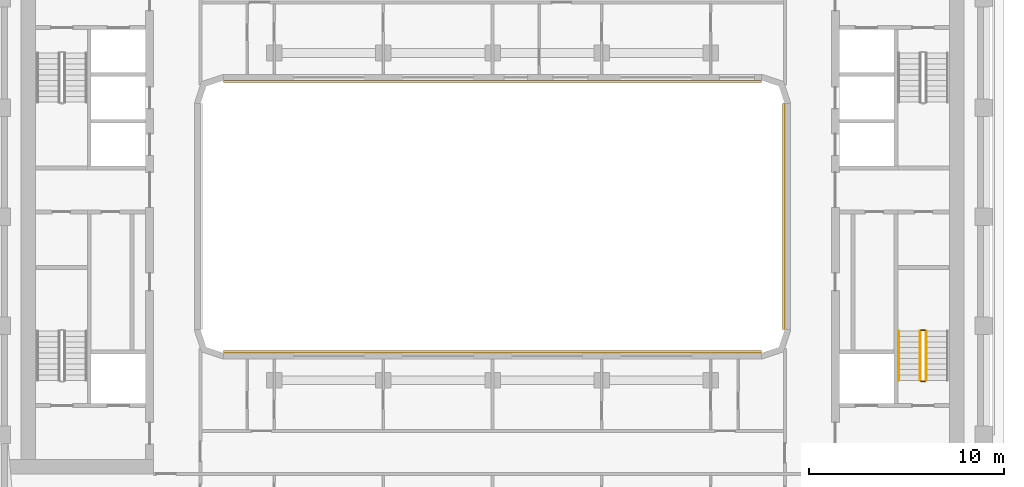
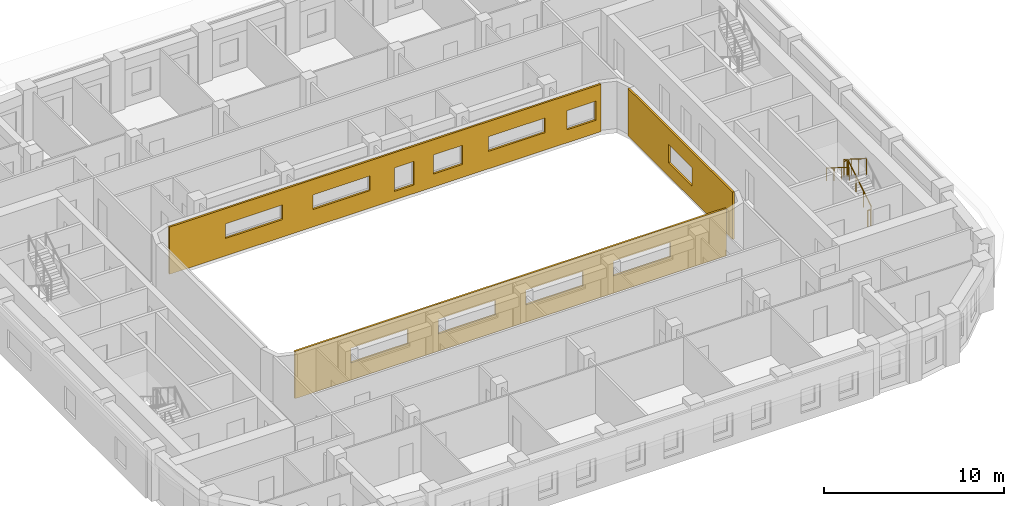
# One storey, part 15 of 20: 5 railings, 3 coverings.
"""IFC4 building model written with IfcOpenShell, lengths in metres."""

from ifc_helpers import new_model, si_unit, direction, frame, origin, origin_2d, place, context, subcontext, project, spatial, polyline, circle, outline, extrude, material, layer, layer_set, type_object, element, save


model = new_model("IFC4")

# Units and contexts
model_context = context("Model", 3, precision=1e-05, world=origin(), true_north=direction((0.0, 1.0)))
body_context = subcontext(model_context, "Body", "Model", "MODEL_VIEW")
ifc_project = project(units=[si_unit("LENGTHUNIT", "METRE"), si_unit("AREAUNIT", "SQUARE_METRE"), si_unit("VOLUMEUNIT", "CUBIC_METRE"), si_unit("PLANEANGLEUNIT", "RADIAN"), si_unit("MASSUNIT", "GRAM", prefix="KILO")], contexts=[model_context])

# Site, building, storey
site_placement = place(None, origin())
site = spatial("IfcSite", under=ifc_project, at=site_placement, CompositionType="ELEMENT")
building_placement = place(site_placement, origin())
building = spatial("IfcBuilding", under=site, at=building_placement, Name="Kiln Ring Residences", CompositionType="ELEMENT")
storey_placement = place(building_placement, frame((0.0, 0.0, 206.39990234375)))
storey = spatial("IfcBuildingStorey", under=building, at=storey_placement, Name="L53", CompositionType="ELEMENT", Elevation=206.39990234375)

# Railings
ifc_material_1 = material(Name="Stainless steel", Category="steel")
railing_type_1 = type_object("IfcRailingType", Name="CORE-STAIR-GUARD", PredefinedType="GUARDRAIL", material=ifc_material_1)
railing_1_placement = place(storey_placement, frame((22.25, -8.39990234375, 0.175048828125)))
element("IfcRailing", 1, at=railing_1_placement, inside=storey, type_object=railing_type_1, Name="L53 E-STS stair guard 1", PredefinedType="GUARDRAIL", context=body_context, shape_type="SweptSolid", body=[
    extrude(circle(Radius=0.02392578125, at=origin_2d()), frame((0.0, 0.0, 1.076171875), z_axis=(0.0, 0.848007534815, 0.529984170421), x_axis=(-1.0, 0.0, 0.0)), (0.0, 0.0, 1.0), 2.9716796875),
    extrude(circle(Radius=0.02099609375, at=origin_2d()), origin(), (0.0, 0.0, 1.0), 1.052001953125),
    extrude(circle(Radius=0.02099609375, at=origin_2d()), frame((0.0, 0.840087890625, 0.52490234375)), (0.0, 0.0, 1.0), 1.052001953125),
    extrude(circle(Radius=0.02099609375, at=origin_2d()), frame((0.0, 1.679931640625, 1.050048828125)), (0.0, 0.0, 1.0), 1.052001953125),
    extrude(circle(Radius=0.02099609375, at=origin_2d()), frame((0.0, 2.52001953125, 1.574951171875)), (0.0, 0.0, 1.0), 1.052001953125),
])
railing_2_placement = place(storey_placement, frame((22.199951171875, -5.830078125, 1.75)))
element("IfcRailing", 2, at=railing_2_placement, inside=storey, type_object=railing_type_1, Name="L53 E-STS stair guard 2", PredefinedType="GUARDRAIL", context=body_context, shape_type="SweptSolid", body=[
    extrude(circle(Radius=0.02392578125, at=origin_2d()), frame((0.0, 0.0, 1.076171875), z_axis=(-1.0, 0.0, 0.0), x_axis=(0.0, -1.0, 0.0)), (0.0, 0.0, 1.0), 0.199951171875),
    extrude(circle(Radius=0.02099609375, at=origin_2d()), origin(), (0.0, 0.0, 1.0), 1.052001953125),
    extrude(circle(Radius=0.02099609375, at=origin_2d()), frame((-0.199951171875, 0.0, 0.0)), (0.0, 0.0, 1.0), 1.052001953125),
])
railing_3_placement = place(storey_placement, frame((21.949951171875, -5.8798828125, 1.925048828125)))
element("IfcRailing", 3, at=railing_3_placement, inside=storey, type_object=railing_type_1, Name="L53 E-STS stair guard 3", PredefinedType="GUARDRAIL", context=body_context, shape_type="SweptSolid", body=[
    extrude(circle(Radius=0.02392578125, at=origin_2d()), frame((0.0, 0.0, 1.076171875), z_axis=(0.0, -0.848007534815, 0.529984170421), x_axis=(1.0, 0.0, 0.0)), (0.0, 0.0, 1.0), 2.9716796875),
    extrude(circle(Radius=0.02099609375, at=origin_2d()), origin(), (0.0, 0.0, 1.0), 1.052001953125),
    extrude(circle(Radius=0.02099609375, at=origin_2d()), frame((0.0, -0.840087890625, 0.52490234375)), (0.0, 0.0, 1.0), 1.052001953125),
    extrude(circle(Radius=0.02099609375, at=origin_2d()), frame((0.0, -1.679931640625, 1.050048828125)), (0.0, 0.0, 1.0), 1.052001953125),
    extrude(circle(Radius=0.02099609375, at=origin_2d()), frame((0.0, -2.52001953125, 1.574951171875)), (0.0, 0.0, 1.0), 1.052001953125),
])
railing_4_placement = place(storey_placement, frame((22.199951171875, -8.449951171875, 0.0)))
element("IfcRailing", 4, at=railing_4_placement, inside=storey, type_object=railing_type_1, Name="L53 E-STS stair guard 4", PredefinedType="GUARDRAIL", context=body_context, shape_type="SweptSolid", body=[
    extrude(circle(Radius=0.02392578125, at=origin_2d()), frame((0.0, 0.0, 1.076171875), z_axis=(-1.0, 0.0, 0.0), x_axis=(0.0, -1.0, 0.0)), (0.0, 0.0, 1.0), 0.199951171875),
    extrude(circle(Radius=0.02099609375, at=origin_2d()), origin(), (0.0, 0.0, 1.0), 1.052001953125),
    extrude(circle(Radius=0.02099609375, at=origin_2d()), frame((-0.199951171875, 0.0, 0.0)), (0.0, 0.0, 1.0), 1.052001953125),
])
ifc_material_2 = material(Name="Stainless steel", Category="steel")
railing_type_2 = type_object("IfcRailingType", Name="CORE-STAIR-HANDRAIL", PredefinedType="HANDRAIL", material=ifc_material_2)
railing_5_placement = place(storey_placement, frame((20.85009765625, -5.8798828125, 1.925048828125)))
element("IfcRailing", 5, at=railing_5_placement, inside=storey, type_object=railing_type_2, Name="L53 E-STS stair handrail 2", PredefinedType="HANDRAIL", context=body_context, shape_type="SweptSolid", body=[
    extrude(circle(Radius=0.02392578125, at=origin_2d()), frame((0.0, 0.0, 0.8759765625), z_axis=(0.0, -0.848007534815, 0.529984170421), x_axis=(1.0, 0.0, 0.0)), (0.0, 0.0, 1.0), 2.9716796875),
    extrude(circle(Radius=0.02099609375, at=origin_2d()), origin(), (0.0, 0.0, 1.0), 0.851806640625),
    extrude(circle(Radius=0.02099609375, at=origin_2d()), frame((0.0, -0.840087890625, 0.52490234375)), (0.0, 0.0, 1.0), 0.851806640625),
    extrude(circle(Radius=0.02099609375, at=origin_2d()), frame((0.0, -1.679931640625, 1.050048828125)), (0.0, 0.0, 1.0), 0.851806640625),
    extrude(circle(Radius=0.02099609375, at=origin_2d()), frame((0.0, -2.52001953125, 1.574951171875)), (0.0, 0.0, 1.0), 0.851806640625),
])

# Coverings
ifc_material_3 = material(Name="Brick masonry, dark clay brick", Category="masonry")
ifc_layer = layer(ifc_material_3, 0.1201171875)
ifc_layer_set = layer_set([ifc_layer], Name="RAINSCREEN PANEL 120")
covering_type = type_object("IfcCoveringType", Name="RAINSCREEN PANEL 120", PredefinedType="CLADDING", material=ifc_layer_set)
covering_1_placement = place(storey_placement, frame((-13.800048828125, 6.93994140625, 0.0), z_axis=(0.0, 0.0, 1.0), x_axis=(1.0, 0.0, 0.0)))
element("IfcCovering", 6, at=covering_1_placement, inside=storey, type_object=covering_type, Name="RAINSCREEN L53", PredefinedType="CLADDING", context=body_context, shape_type="SweptSolid", body=[
    extrude(outline(polyline([(0.0, 0.0), (27.60009765625, 0.0), (27.60009765625, 3.2001953125), (0.0, 3.2001953125), (0.0, 0.0)]), holes=[polyline([(15.6201171875, 0.580078125), (15.6201171875, 2.170166015625), (14.3798828125, 2.170166015625), (14.3798828125, 0.580078125), (15.6201171875, 0.580078125)]), polyline([(16.8798828125, 0.880126953125), (18.719970703125, 0.880126953125), (18.719970703125, 2.170166015625), (16.8798828125, 2.170166015625), (16.8798828125, 0.880126953125)]), polyline([(25.41748046875, 0.880126953125), (27.257568359375, 0.880126953125), (27.257568359375, 2.170166015625), (25.41748046875, 2.170166015625), (25.41748046875, 0.880126953125)]), polyline([(7.219970703125, 1.18017578125), (7.219970703125, 2.170166015625), (3.580078125, 2.170166015625), (3.580078125, 1.18017578125), (7.219970703125, 1.18017578125)]), polyline([(9.179931640625, 1.18017578125), (12.820068359375, 1.18017578125), (12.820068359375, 2.170166015625), (9.179931640625, 2.170166015625), (9.179931640625, 1.18017578125)]), polyline([(20.3798828125, 1.18017578125), (24.02001953125, 1.18017578125), (24.02001953125, 2.170166015625), (20.3798828125, 2.170166015625), (20.3798828125, 1.18017578125)])]), frame((0.0, 0.06005859375, 0.0), z_axis=(0.0, -1.0, 0.0), x_axis=(1.0, 0.0, 0.0)), (0.0, 0.0, 1.0), 0.1201171875),
])
covering_2_placement = place(storey_placement, frame((14.93994140625, 5.800048828125, 0.0), z_axis=(0.0, 0.0, 1.0), x_axis=(0.0, -1.0, 0.0)))
element("IfcCovering", 7, at=covering_2_placement, inside=storey, type_object=covering_type, Name="RAINSCREEN L53", PredefinedType="CLADDING", context=body_context, shape_type="SweptSolid", body=[
    extrude(outline(polyline([(0.0, 0.0), (11.60009765625, 0.0), (11.60009765625, 3.2001953125), (0.0, 3.2001953125), (0.0, 0.0)]), holes=[polyline([(4.5, 2.150146484375), (4.5, 0.900146484375), (7.10009765625, 0.900146484375), (7.10009765625, 2.150146484375), (4.5, 2.150146484375)])]), frame((0.0, 0.06005859375, 0.0), z_axis=(0.0, -1.0, 0.0), x_axis=(1.0, 0.0, 0.0)), (0.0, 0.0, 1.0), 0.1201171875),
])
covering_3_placement = place(storey_placement, frame((13.800048828125, -6.93994140625, 0.0), z_axis=(0.0, 0.0, 1.0), x_axis=(-1.0, 0.0, 0.0)))
element("IfcCovering", 8, at=covering_3_placement, inside=storey, type_object=covering_type, Name="RAINSCREEN L53", PredefinedType="CLADDING", context=body_context, shape_type="SweptSolid", body=[
    extrude(outline(polyline([(0.0, 0.0), (27.60009765625, 0.0), (27.60009765625, 3.2001953125), (0.0, 3.2001953125), (0.0, 0.0)]), holes=[polyline([(7.219970703125, 1.18017578125), (7.219970703125, 2.170166015625), (3.580078125, 2.170166015625), (3.580078125, 1.18017578125), (7.219970703125, 1.18017578125)]), polyline([(12.820068359375, 1.18017578125), (12.820068359375, 2.170166015625), (9.179931640625, 2.170166015625), (9.179931640625, 1.18017578125), (12.820068359375, 1.18017578125)]), polyline([(18.419921875, 1.18017578125), (18.419921875, 2.170166015625), (14.780029296875, 2.170166015625), (14.780029296875, 1.18017578125), (18.419921875, 1.18017578125)]), polyline([(24.02001953125, 1.18017578125), (24.02001953125, 2.170166015625), (20.3798828125, 2.170166015625), (20.3798828125, 1.18017578125), (24.02001953125, 1.18017578125)])]), frame((0.0, 0.06005859375, 0.0), z_axis=(0.0, -1.0, 0.0), x_axis=(1.0, 0.0, 0.0)), (0.0, 0.0, 1.0), 0.1201171875),
])

save(model, "model.ifc")
